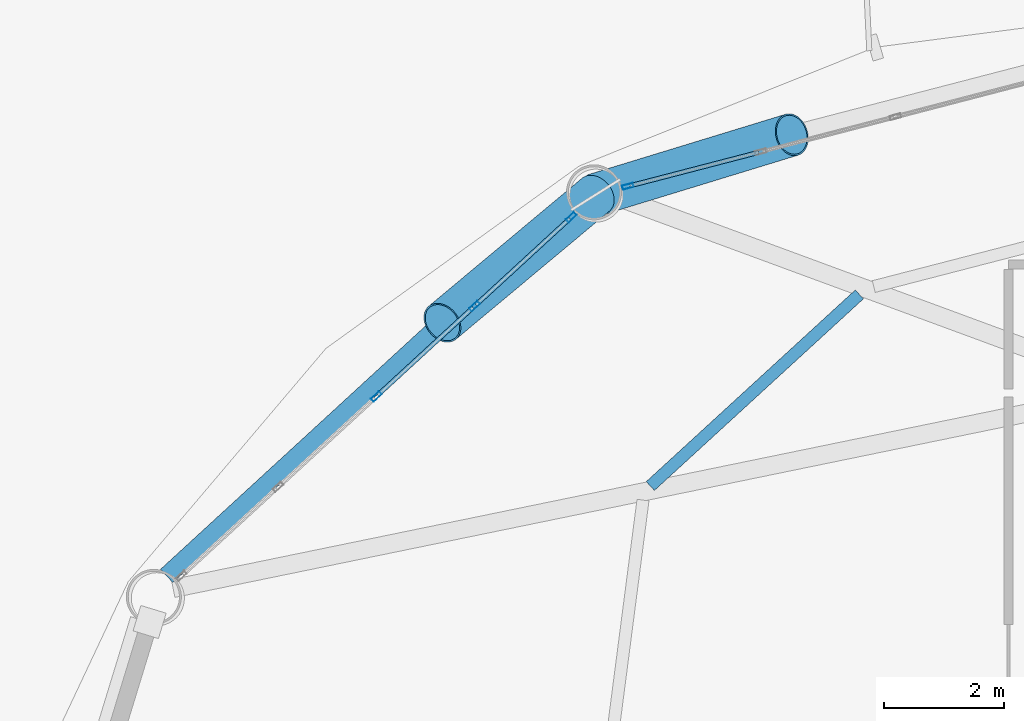
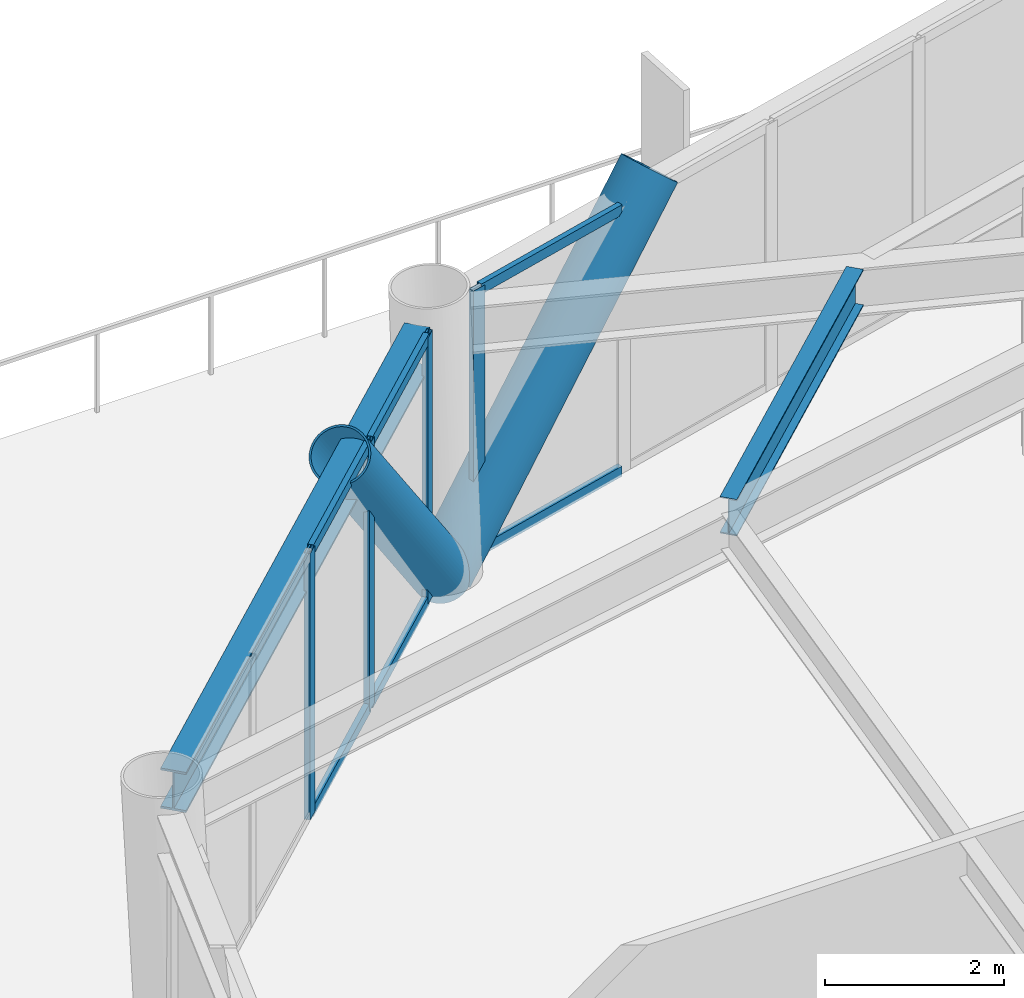
# One storey, part 15 of 24: 12 members, 2 beams, 2 elements without a shape of their own.
"""IFC4 building model written with IfcOpenShell, lengths in metres."""

from ifc_helpers import new_model, si_unit, direction, frame, origin, origin_2d, place, context, subcontext, project, spatial, hollow_rectangle, hollow_circle, i_section, extrude, material, layer, layer_set, material_profile, profile_set, type_object, element, aggregate, save


model = new_model("IFC4")

# Units and contexts
model_context = context("Model", 3, precision=1e-05, world=origin(), true_north=direction((0.0, 1.0)))
body_context = subcontext(model_context, "Body", "Model", "MODEL_VIEW")
ifc_project = project(units=[si_unit("LENGTHUNIT", "METRE"), si_unit("AREAUNIT", "SQUARE_METRE"), si_unit("VOLUMEUNIT", "CUBIC_METRE"), si_unit("PLANEANGLEUNIT", "RADIAN"), si_unit("MASSUNIT", "GRAM", prefix="KILO")], contexts=[model_context])

# Site, building, storey
site_placement = place(None, origin())
site = spatial("IfcSite", under=ifc_project, at=site_placement, CompositionType="ELEMENT")
building_placement = place(site_placement, origin())
building = spatial("IfcBuilding", under=site, at=building_placement, Name="Varnakorn Sky Granary", CompositionType="ELEMENT")
storey_placement = place(building_placement, frame((0.0, 0.0, 27.60009765625)))
storey = spatial("IfcBuildingStorey", under=building, at=storey_placement, Name="L06", CompositionType="ELEMENT", Elevation=27.60009765625)

# Beams
ifc_material_1 = material(Name="Steel S355JR", Category="steel")
ifc_material_profile_1 = material_profile(ifc_material_1, i_section(OverallWidth=0.199951171875, OverallDepth=0.5, WebThickness=0.01025390625, FlangeThickness=0.01611328125, at=origin_2d()), Name="IPE 500")
ifc_profile_set_1 = profile_set([ifc_material_profile_1], Name="Steel S355JR")
beam_type_1 = type_object("IfcBeamType", Name="BM-SEC-Z1", PredefinedType="BEAM", material=ifc_profile_set_1)
beam_1_placement = place(storey_placement, frame((-7.07861328125, 14.205322265625, 3.389892578125), z_axis=(-0.737124019485, -0.67575748601, 0.0), x_axis=(0.67575748601, -0.737124019485, 0.0)))
element("IfcBeam", 1, at=beam_1_placement, inside=storey, type_object=beam_type_1, Name="Secondary Floor Chord Beam MSB05 L06", PredefinedType="BEAM", context=body_context, shape_type="SweptSolid", body=[
    extrude(i_section(OverallWidth=0.199951171875, OverallDepth=0.5, WebThickness=0.01025390625, FlangeThickness=0.01611328125, at=origin_2d()), origin(), (0.0, 0.0, 1.0), 4.71044921875),
])
ifc_material_profile_2 = material_profile(ifc_material_1, i_section(OverallWidth=0.300048828125, OverallDepth=0.550048828125, WebThickness=0.014892578125, FlangeThickness=0.029052734375, at=origin_2d()), Name="HE 550 B")
ifc_profile_set_2 = profile_set([ifc_material_profile_2], Name="Steel S355JR")
beam_type_2 = type_object("IfcBeamType", Name="BM-SPD-Z1", PredefinedType="SPANDREL", material=ifc_profile_set_2)
beam_2_placement = place(storey_placement, frame((-11.877197265625, 15.688720703125, 3.364990234375), z_axis=(-0.736536158122, -0.676398172513, 0.0), x_axis=(0.676398172513, -0.736536158122, 0.0)))
element("IfcBeam", 2, at=beam_2_placement, inside=storey, type_object=beam_type_2, Name="Perimeter Spandrel Ring Beam RB05 L06", PredefinedType="SPANDREL", context=body_context, shape_type="SweptSolid", body=[
    extrude(i_section(OverallWidth=0.300048828125, OverallDepth=0.550048828125, WebThickness=0.014892578125, FlangeThickness=0.029052734375, at=origin_2d()), origin(), (0.0, 0.0, 1.0), 9.10595703125),
])

# Curtain wall, member
ifc_material_2 = material(Name="Anodised Bronze Aluminium Alloy 6063-T6", Category="aluminium")
ifc_layer = layer(ifc_material_2, 0.18994140625, Name="Anodised Bronze Aluminium Alloy 6063-T6")
ifc_layer_set = layer_set([ifc_layer], Name="Anodised Bronze Aluminium Alloy 6063-T6")
curtain_wall_type = type_object("IfcCurtainWallType", Name="CW-FRM-1", PredefinedType="USERDEFINED", material=ifc_layer_set)
curtain_wall_1_placement = place(storey_placement, origin())
curtain_wall_1 = element("IfcCurtainWall", 3, at=curtain_wall_1_placement, inside=storey, type_object=curtain_wall_type, Name="Unitised Curtain Wall CW3 CW-L06-B04", ObjectType="CURTAIN WALL", PredefinedType="USERDEFINED")
ifc_material_profile_3 = material_profile(ifc_material_2, hollow_rectangle(XDim=0.070068359375, YDim=0.18505859375, WallThickness=0.00390625, at=origin_2d()), Name="ALU MULL 70x185")
ifc_profile_set_3 = profile_set([ifc_material_profile_3], Name="Anodised Bronze Aluminium Alloy 6063-T6")
member_type_1 = type_object("IfcMemberType", Name="CW-FRM-1-MULL", PredefinedType="MULLION", material=ifc_profile_set_3)
member_1_placement = place(storey_placement, frame((-10.92333984375, 16.000244140625, 0.0), z_axis=(0.0, 0.0, 1.0), x_axis=(-0.251609357822, 0.967828874883, 0.0)))
member_1 = element("IfcMember", 4, at=member_1_placement, type_object=member_type_1, Name="CW3 mullion 1", PredefinedType="MULLION", context=body_context, shape_type="SweptSolid", body=[
    extrude(hollow_rectangle(XDim=0.070068359375, YDim=0.18505859375, WallThickness=0.00390625, at=origin_2d()), origin(), (0.0, 0.0, 1.0), 3.639892578125),
])

# Curtain wall, members
curtain_wall_2_placement = place(storey_placement, origin())
curtain_wall_2 = element("IfcCurtainWall", 5, at=curtain_wall_2_placement, inside=storey, type_object=curtain_wall_type, Name="Unitised Curtain Wall CW3 CW-L06-B05", ObjectType="CURTAIN WALL", PredefinedType="USERDEFINED")
member_2_placement = place(storey_placement, frame((-15.102294921875, 12.509521484375, 0.0), z_axis=(0.0, 0.0, 1.0), x_axis=(-0.676914362354, 0.7360617814, 0.0)))
member_2 = element("IfcMember", 6, at=member_2_placement, type_object=member_type_1, Name="CW3 mullion 3", PredefinedType="MULLION", context=body_context, shape_type="SweptSolid", body=[
    extrude(hollow_rectangle(XDim=0.070068359375, YDim=0.18505859375, WallThickness=0.00390625, at=origin_2d()), origin(), (0.0, 0.0, 1.0), 3.639892578125),
])
member_3_placement = place(storey_placement, frame((-13.47021484375, 14.01025390625, 0.0), z_axis=(0.0, 0.0, 1.0), x_axis=(-0.676914362354, 0.7360617814, 0.0)))
member_3 = element("IfcMember", 7, at=member_3_placement, type_object=member_type_1, Name="CW3 mullion 4", PredefinedType="MULLION", context=body_context, shape_type="SweptSolid", body=[
    extrude(hollow_rectangle(XDim=0.070068359375, YDim=0.18505859375, WallThickness=0.00390625, at=origin_2d()), origin(), (0.0, 0.0, 1.0), 3.639892578125),
])
member_4_placement = place(storey_placement, frame((-11.86376953125, 15.487548828125, 0.0), z_axis=(0.0, 0.0, 1.0), x_axis=(-0.676914362354, 0.7360617814, 0.0)))
member_4 = element("IfcMember", 8, at=member_4_placement, type_object=member_type_1, Name="CW3 mullion 5", PredefinedType="MULLION", context=body_context, shape_type="SweptSolid", body=[
    extrude(hollow_rectangle(XDim=0.070068359375, YDim=0.18505859375, WallThickness=0.00390625, at=origin_2d()), origin(), (0.0, 0.0, 1.0), 3.639892578125),
])

# Member
ifc_material_profile_4 = material_profile(ifc_material_2, hollow_rectangle(XDim=0.070068359375, YDim=0.139892578125, WallThickness=0.00341796875, at=origin_2d()), Name="ALU TRAN 70x140")
ifc_profile_set_4 = profile_set([ifc_material_profile_4], Name="Anodised Bronze Aluminium Alloy 6063-T6")
member_type_2 = type_object("IfcMemberType", Name="CW-FRM-1-TRAN", PredefinedType="USERDEFINED", material=ifc_profile_set_4)
member_5_placement = place(storey_placement, frame((-10.889404296875, 16.009033203125, 0.034912109375), z_axis=(0.967837579781, 0.251575871583, 0.0), x_axis=(-0.251575871583, 0.967837579781, 0.0)))
member_5 = element("IfcMember", 9, at=member_5_placement, type_object=member_type_2, Name="CW3 transom 1.1", ObjectType="TRANSOM", PredefinedType="USERDEFINED", context=body_context, shape_type="SweptSolid", body=[
    extrude(hollow_rectangle(XDim=0.070068359375, YDim=0.139892578125, WallThickness=0.00341796875, at=origin_2d()), origin(), (0.0, 0.0, 1.0), 2.208740234375),
])

member_6_placement = place(storey_placement, frame((-10.889404296875, 16.009033203125, 3.60498046875), z_axis=(0.967837579781, 0.251575871583, 0.0), x_axis=(-0.251575871583, 0.967837579781, 0.0)))
member_6 = element("IfcMember", 10, at=member_6_placement, type_object=member_type_2, Name="CW3 transom 1.2", ObjectType="TRANSOM", PredefinedType="USERDEFINED", context=body_context, shape_type="SweptSolid", body=[
    extrude(hollow_rectangle(XDim=0.070068359375, YDim=0.139892578125, WallThickness=0.00341796875, at=origin_2d()), origin(), (0.0, 0.0, 1.0), 2.208740234375),
])

aggregate(curtain_wall_1, [member_1, member_5, member_6])

member_7_placement = place(storey_placement, frame((-15.076416015625, 12.533203125, 0.034912109375), z_axis=(0.736105481164, 0.676866841114, 0.0), x_axis=(-0.676866841114, 0.736105481164, 0.0)))
member_7 = element("IfcMember", 11, at=member_7_placement, type_object=member_type_2, Name="CW3 transom 3.1", ObjectType="TRANSOM", PredefinedType="USERDEFINED", context=body_context, shape_type="SweptSolid", body=[
    extrude(hollow_rectangle(XDim=0.070068359375, YDim=0.139892578125, WallThickness=0.00341796875, at=origin_2d()), origin(), (0.0, 0.0, 1.0), 2.147216796875),
])

member_8_placement = place(storey_placement, frame((-15.076416015625, 12.533203125, 3.60498046875), z_axis=(0.736105481164, 0.676866841114, 0.0), x_axis=(-0.676866841114, 0.736105481164, 0.0)))
member_8 = element("IfcMember", 12, at=member_8_placement, type_object=member_type_2, Name="CW3 transom 3.2", ObjectType="TRANSOM", PredefinedType="USERDEFINED", context=body_context, shape_type="SweptSolid", body=[
    extrude(hollow_rectangle(XDim=0.070068359375, YDim=0.139892578125, WallThickness=0.00341796875, at=origin_2d()), origin(), (0.0, 0.0, 1.0), 2.147216796875),
])

member_9_placement = place(storey_placement, frame((-13.4443359375, 14.033935546875, 0.034912109375), z_axis=(0.736073807105, 0.676901285635, 0.0), x_axis=(-0.676901285635, 0.736073807105, 0.0)))
member_9 = element("IfcMember", 13, at=member_9_placement, type_object=member_type_2, Name="CW3 transom 4.1", ObjectType="TRANSOM", PredefinedType="USERDEFINED", context=body_context, shape_type="SweptSolid", body=[
    extrude(hollow_rectangle(XDim=0.070068359375, YDim=0.139892578125, WallThickness=0.00341796875, at=origin_2d()), origin(), (0.0, 0.0, 1.0), 2.112548828125),
])

member_10_placement = place(storey_placement, frame((-13.4443359375, 14.033935546875, 3.60498046875), z_axis=(0.736073807105, 0.676901285635, 0.0), x_axis=(-0.676901285635, 0.736073807105, 0.0)))
member_10 = element("IfcMember", 14, at=member_10_placement, type_object=member_type_2, Name="CW3 transom 4.2", ObjectType="TRANSOM", PredefinedType="USERDEFINED", context=body_context, shape_type="SweptSolid", body=[
    extrude(hollow_rectangle(XDim=0.070068359375, YDim=0.139892578125, WallThickness=0.00341796875, at=origin_2d()), origin(), (0.0, 0.0, 1.0), 2.112548828125),
])

aggregate(curtain_wall_2, [member_2, member_3, member_4, member_7, member_8, member_9, member_10])

# Members
ifc_material_3 = material(Name="Steel S460M", Category="steel")
ifc_material_profile_5 = material_profile(ifc_material_3, hollow_circle(Radius=0.35546875, WallThickness=0.02490234375, at=origin_2d()), Name="CHS 711x25")
ifc_profile_set_5 = profile_set([ifc_material_profile_5], Name="Steel S460M")
member_type_3 = type_object("IfcMemberType", Name="MB-DIAG-T0", PredefinedType="BRACE", material=ifc_profile_set_5)
member_11_placement = place(storey_placement, frame((-11.45751953125, 15.861328125, 0.0), z_axis=(0.639166331841, 0.195453892164, 0.743817300335), x_axis=(-0.292427985995, 0.95628754724, 0.0)))
element("IfcMember", 15, at=member_11_placement, inside=storey, type_object=member_type_3, Name="Perimeter CHS Diagrid Brace DG04 L06", PredefinedType="BRACE", context=body_context, shape_type="SweptSolid", body=[
    extrude(hollow_circle(Radius=0.35546875, WallThickness=0.02490234375, at=origin_2d()), origin(), (0.0, 0.0, 1.0), 5.094970703125),
])
member_12_placement = place(storey_placement, frame((-11.45751953125, 15.861328125, 0.0), z_axis=(-0.505621896802, -0.422102912219, 0.752446429303), x_axis=(0.640857358835, -0.767659980478, 0.0)))
element("IfcMember", 16, at=member_12_placement, inside=storey, type_object=member_type_3, Name="Perimeter CHS Diagrid Brace DG05 L06", PredefinedType="BRACE", context=body_context, shape_type="SweptSolid", body=[
    extrude(hollow_circle(Radius=0.35546875, WallThickness=0.02490234375, at=origin_2d()), origin(), (0.0, 0.0, 1.0), 5.03662109375),
])

save(model, "model.ifc")
